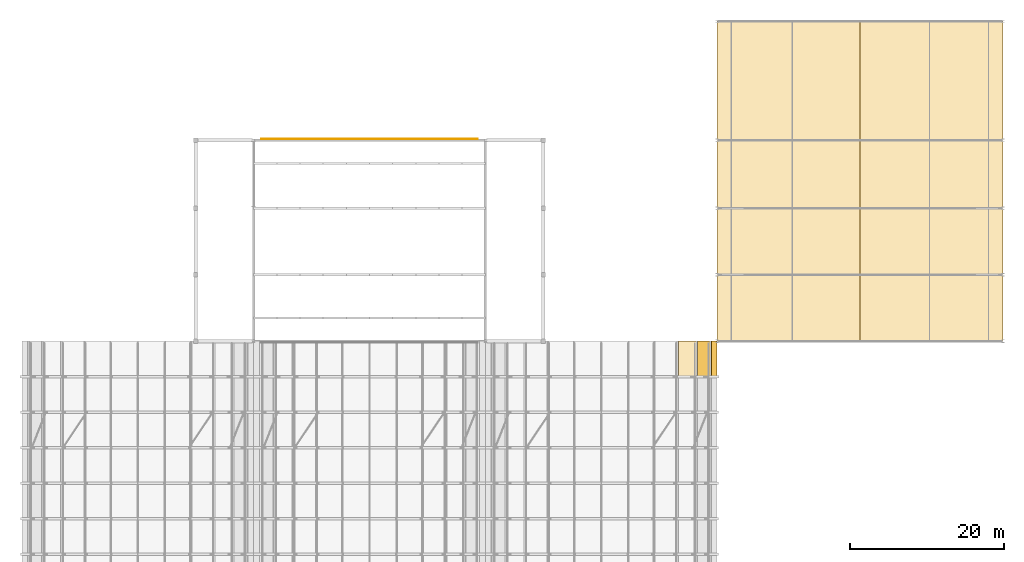
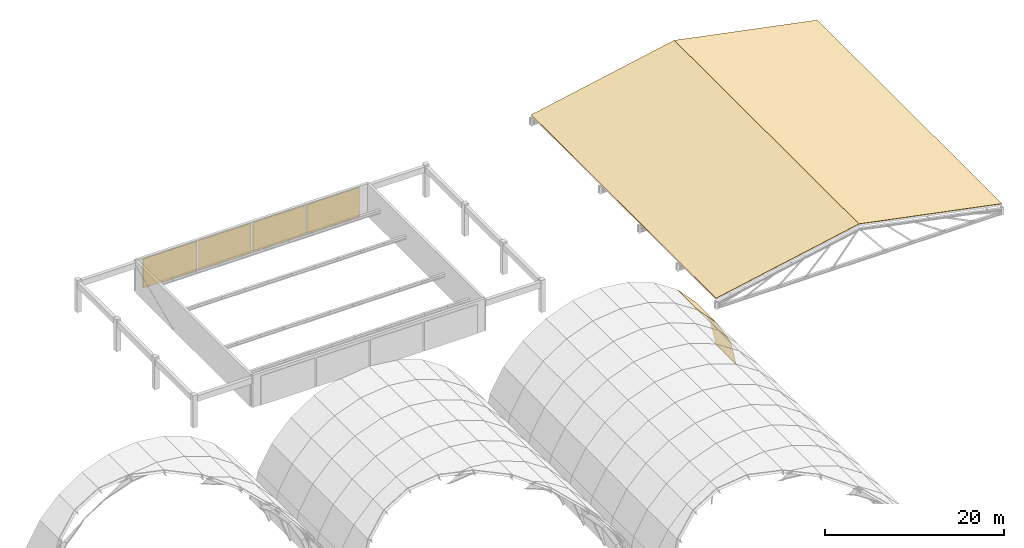
# One storey, part 47 of 47: 9 coverings.
"""IFC4 building model written with IfcOpenShell, lengths in metres."""

from ifc_helpers import new_model, si_unit, direction, frame, origin, origin_2d, place, context, subcontext, project, spatial, polyline, rectangle, outline, extrude, material, layer, layer_set, type_object, element, save


model = new_model("IFC4")

# Units and contexts
model_context = context("Model", 3, precision=1e-05, world=origin(), true_north=direction((0.0, 1.0)))
body_context = subcontext(model_context, "Body", "Model", "MODEL_VIEW")
ifc_project = project(units=[si_unit("LENGTHUNIT", "METRE"), si_unit("AREAUNIT", "SQUARE_METRE"), si_unit("VOLUMEUNIT", "CUBIC_METRE"), si_unit("PLANEANGLEUNIT", "RADIAN"), si_unit("MASSUNIT", "GRAM", prefix="KILO")], contexts=[model_context])

# Site, building, storey
site_placement = place(None, origin())
site = spatial("IfcSite", under=ifc_project, at=site_placement, CompositionType="ELEMENT")
building_placement = place(site_placement, origin())
building = spatial("IfcBuilding", under=site, at=building_placement, Name="Muzn Square Opera House", CompositionType="ELEMENT")
storey_placement = place(building_placement, frame((0.0, 0.0, 31.0)))
storey = spatial("IfcBuildingStorey", under=building, at=storey_placement, Name="RF-1", CompositionType="ELEMENT", Elevation=31.0)

# Coverings
ifc_material_1 = material(Name="Honed Riyadh limestone", Category="stone")
ifc_layer_1 = layer(ifc_material_1, 0.06005859375, Name="Honed Riyadh limestone", Category="stone")
ifc_layer_set_1 = layer_set([ifc_layer_1], Name="Honed Riyadh limestone")
covering_type_1 = type_object("IfcCoveringType", Name="Honed Riyadh Limestone Facade Cladding", PredefinedType="CLADDING", material=ifc_layer_set_1)
covering_1_placement = place(storey_placement, frame((77.5, 98.800048828125, 0.0), z_axis=(0.0, 0.0, 1.0), x_axis=(1.0, 0.0, 0.0)))
element("IfcCovering", 1, at=covering_1_placement, inside=storey, type_object=covering_type_1, Name="Honed Riyadh Limestone Cladding Panel CLD-FT-RF-1-29", PredefinedType="CLADDING", context=body_context, shape_type="SweptSolid", body=[
    extrude(rectangle(XDim=7.0, YDim=0.06005859375, at=origin_2d()), origin(), (0.0, 0.0, 1.0), 4.0),
])
for number, where, z_axis, x_axis, name in (
    (2, (84.60009765625, 98.800048828125, 0.0), (0.0, 0.0, 1.0), (1.0, 0.0, 0.0), "Honed Riyadh Limestone Cladding Panel CLD-FT-RF-1-30"),
    (3, (91.60009765625, 98.800048828125, 0.0), (0.0, 0.0, 1.0), (1.0, 0.0, 0.0), "Honed Riyadh Limestone Cladding Panel CLD-FT-RF-1-31"),
    (4, (98.60009765625, 98.800048828125, 0.0), (0.0, 0.0, 1.0), (1.0, 0.0, 0.0), "Honed Riyadh Limestone Cladding Panel CLD-FT-RF-1-32"),
):
    element("IfcCovering", number, at=place(storey_placement, frame(where, z_axis=z_axis, x_axis=x_axis)), inside=storey, type_object=covering_type_1, Name=name, PredefinedType="CLADDING", context=body_context, shape_type="SweptSolid", body=[
        extrude(rectangle(XDim=6.800048828125, YDim=0.06005859375, at=origin_2d()), origin(), (0.0, 0.0, 1.0), 4.0),
    ])
ifc_material_2 = material(Name="Patina green copper-zinc standing seam", Category="metal")
ifc_layer_2 = layer(ifc_material_2, 0.0400390625, Name="Patina green copper-zinc standing seam", Category="metal")
ifc_layer_set_2 = layer_set([ifc_layer_2], Name="Patina green copper-zinc standing seam")
covering_type_2 = type_object("IfcCoveringType", Name="Standing Seam Green Vault Roofing", PredefinedType="ROOFING", material=ifc_layer_set_2)
covering_2_placement = place(storey_placement, frame((128.00927734375, 68.0, -3.217041015625), z_axis=(0.732233658575, 0.0, 0.68105349955), x_axis=(0.68105349955, 0.0, -0.732233658575)))
element("IfcCovering", 5, at=covering_2_placement, inside=storey, type_object=covering_type_2, Name="Patina Green Standing Seam Vault Roofing V3-10-F09", PredefinedType="ROOFING", context=body_context, shape_type="SweptSolid", body=[
    extrude(outline(polyline([(0.0, 0.0), (3.6205970810364114, 0.0), (3.6205970810364114, 4.60009765625), (0.0, 4.60009765625), (0.0, 0.0)])), origin(), (0.0, 0.0, -1.0), 0.0400390625),
])
covering_3_placement = place(storey_placement, frame((130.47509765625, 68.0, -5.8681640625), z_axis=(0.870532696062, 0.0, 0.492110582174), x_axis=(0.492110582174, 0.0, -0.870532696062)))
element("IfcCovering", 6, at=covering_3_placement, inside=storey, type_object=covering_type_2, Name="Patina Green Standing Seam Vault Roofing V3-10-F10", PredefinedType="ROOFING", context=body_context, shape_type="SweptSolid", body=[
    extrude(outline(polyline([(0.0, 0.0), (3.6206055016752363, 0.0), (3.6206055016752363, 4.60009765625), (0.0, 4.60009765625), (0.0, 0.0)])), origin(), (0.0, 0.0, -1.0), 0.0400390625),
])
covering_4_placement = place(storey_placement, frame((132.2568359375, 68.0, -9.02001953125), z_axis=(0.976986683404, 0.0, 0.213300305792), x_axis=(0.213300305792, 0.0, -0.976986683404)))
element("IfcCovering", 7, at=covering_4_placement, inside=storey, type_object=covering_type_2, Name="Patina Green Standing Seam Vault Roofing V3-10-F11", PredefinedType="ROOFING", context=body_context, shape_type="SweptSolid", body=[
    extrude(outline(polyline([(0.0, 0.0), (3.5619528166180294, 0.0), (3.5619528166180294, 4.600097656249999), (0.0, 4.600097656249999), (0.0, 0.0)])), origin(), (0.0, 0.0, -1.0), 0.0400390625),
])
covering_5_placement = place(storey_placement, frame((151.5, 72.60009765625, -2.4599609375), z_axis=(-0.196113646575, 0.0, 0.9805811734), x_axis=(0.0, 1.0, 0.0)))
element("IfcCovering", 8, at=covering_5_placement, inside=storey, type_object=covering_type_2, Name="Rehearsal Pavilion West Standing Seam Roofing", PredefinedType="ROOFING", context=body_context, shape_type="SweptSolid", body=[
    extrude(outline(polyline([(0.0, 18.866362624370897), (0.0, 0.0), (41.39990234375, 0.0), (41.39990234375, 18.866362624370897), (0.0, 18.866362624370897)])), origin(), (0.0, 0.0, -1.0), 0.0400390625),
])
covering_6_placement = place(storey_placement, frame((151.5, 72.60009765625, -2.4599609375), z_axis=(0.196113646575, 0.0, 0.9805811734), x_axis=(0.9805811734, 0.0, -0.196113646575)))
element("IfcCovering", 9, at=covering_6_placement, inside=storey, type_object=covering_type_2, Name="Rehearsal Pavilion East Standing Seam Roofing", PredefinedType="ROOFING", context=body_context, shape_type="SweptSolid", body=[
    extrude(outline(polyline([(0.0, 0.0), (18.866362624370897, 0.0), (18.866362624370897, 41.39990234375), (0.0, 41.39990234375), (0.0, 0.0)])), origin(), (0.0, 0.0, -1.0), 0.0400390625),
])

save(model, "model.ifc")
